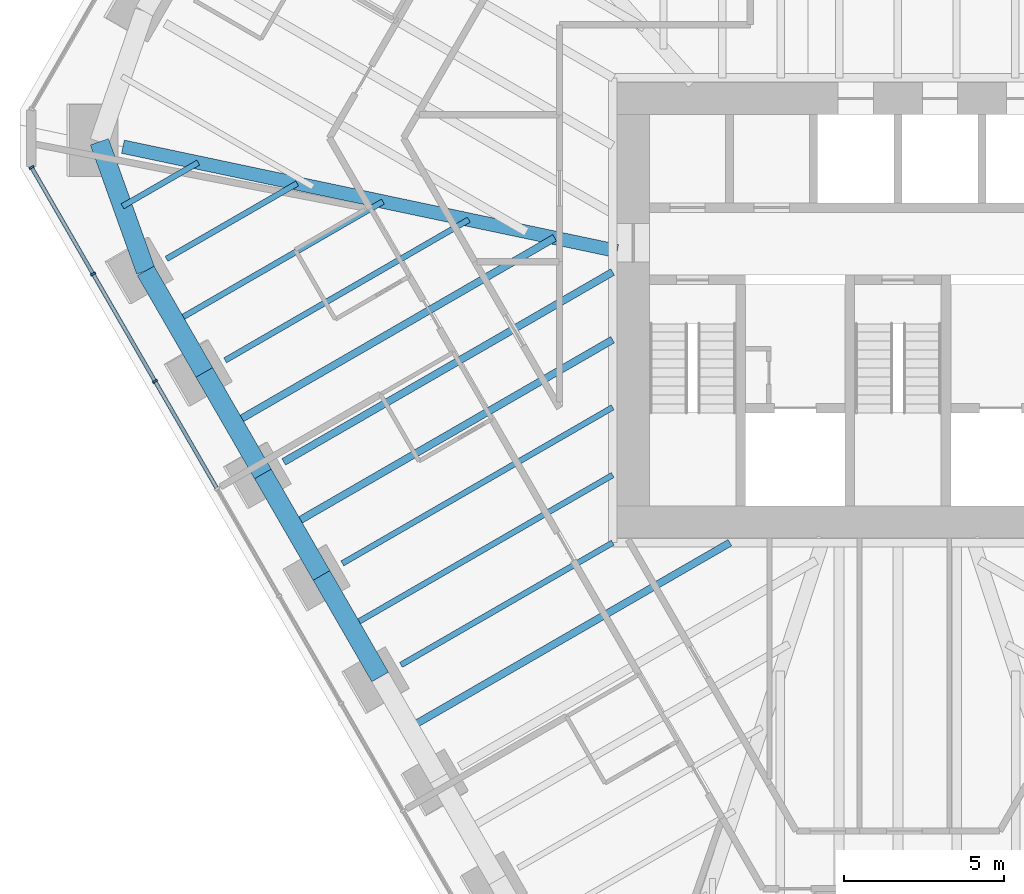
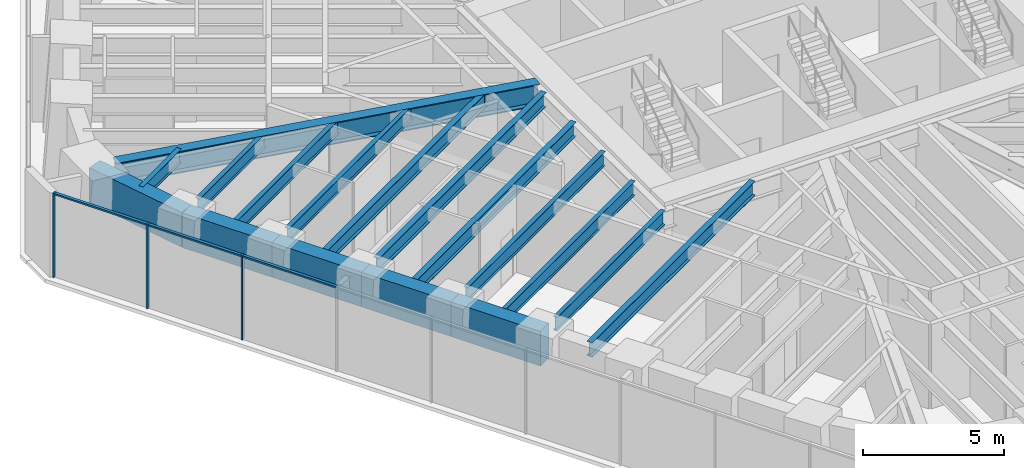
# One storey, part 3 of 17: 17 beams, 6 members, 1 element without a shape of its own.
"""IFC4 building model written with IfcOpenShell, lengths in metres."""

from ifc_helpers import new_model, si_unit, direction, frame, origin, origin_2d, place, context, subcontext, project, spatial, rectangle, i_section, extrude, material, material_profile, profile_set, type_object, element, aggregate, save


model = new_model("IFC4")

# Units and contexts
model_context = context("Model", 3, precision=1e-05, world=origin(), true_north=direction((0.0, 1.0)))
body_context = subcontext(model_context, "Body", "Model", "MODEL_VIEW")
ifc_project = project(units=[si_unit("LENGTHUNIT", "METRE"), si_unit("AREAUNIT", "SQUARE_METRE"), si_unit("VOLUMEUNIT", "CUBIC_METRE"), si_unit("PLANEANGLEUNIT", "RADIAN"), si_unit("MASSUNIT", "GRAM", prefix="KILO")], contexts=[model_context])

# Site, building, storey
site_placement = place(None, origin())
site = spatial("IfcSite", under=ifc_project, at=site_placement, CompositionType="ELEMENT")
building_placement = place(site_placement, origin())
building = spatial("IfcBuilding", under=site, at=building_placement, Name="Sandreach Pilgrim Tower", CompositionType="ELEMENT")
storey_placement = place(building_placement, frame((0.0, 0.0, 232.60009765625)))
storey = spatial("IfcBuildingStorey", under=building, at=storey_placement, Name="L58", CompositionType="ELEMENT", Elevation=232.60009765625)

# Curtain wall, members
ifc_material_1 = material(Name="Aluminium framed curtain wall", Category="aluminium")
curtain_wall_type = type_object("IfcCurtainWallType", Name="Upper hotel tower curtain wall", PredefinedType="NOTDEFINED", material=ifc_material_1)
curtain_wall_placement = place(storey_placement, origin())
curtain_wall = element("IfcCurtainWall", 1, at=curtain_wall_placement, inside=storey, type_object=curtain_wall_type, Name="CW-3 L58 SW", PredefinedType="NOTDEFINED")
ifc_material_2 = material(Name="Aluminium extrusion", Category="aluminium")
ifc_material_profile_1 = material_profile(ifc_material_2, rectangle(XDim=0.06494140625, YDim=0.159912109375, at=origin_2d()), Name="CW-3M 65X160")
ifc_profile_set_1 = profile_set([ifc_material_profile_1], Name="Aluminium extrusion")
member_type_1 = type_object("IfcMemberType", Name="CW-3 mullion", PredefinedType="MULLION", material=ifc_profile_set_1)
member_1_placement = place(storey_placement, frame((-23.15576171875, -2.21337890625, 0.0), z_axis=(0.0, 0.0, 1.0), x_axis=(-0.5, 0.866025403784, 0.0)))
member_1 = element("IfcMember", 2, at=member_1_placement, type_object=member_type_1, Name="CW-3 mullion 8", PredefinedType="MULLION", context=body_context, shape_type="SweptSolid", body=[
    extrude(rectangle(XDim=0.06494140625, YDim=0.159912109375, at=origin_2d()), origin(), (0.0, 0.0, 1.0), 3.639892578125),
])
member_2_placement = place(storey_placement, frame((-25.087890625, 1.13330078125, 0.0), z_axis=(0.0, 0.0, 1.0), x_axis=(-0.5, 0.866025403784, 0.0)))
member_2 = element("IfcMember", 3, at=member_2_placement, type_object=member_type_1, Name="CW-3 mullion 9", PredefinedType="MULLION", context=body_context, shape_type="SweptSolid", body=[
    extrude(rectangle(XDim=0.06494140625, YDim=0.159912109375, at=origin_2d()), origin(), (0.0, 0.0, 1.0), 3.639892578125),
])
member_3_placement = place(storey_placement, frame((-27.00390625, 4.451904296875, 0.0), z_axis=(0.0, 0.0, 1.0), x_axis=(-0.5, 0.866025403784, 0.0)))
member_3 = element("IfcMember", 4, at=member_3_placement, type_object=member_type_1, Name="CW-3 mullion 10", PredefinedType="MULLION", context=body_context, shape_type="SweptSolid", body=[
    extrude(rectangle(XDim=0.06494140625, YDim=0.159912109375, at=origin_2d()), origin(), (0.0, 0.0, 1.0), 3.639892578125),
])
ifc_material_3 = material(Name="Aluminium extrusion", Category="aluminium")
ifc_material_profile_2 = material_profile(ifc_material_3, rectangle(XDim=0.1201171875, YDim=0.070068359375, at=origin_2d()), Name="CW-3T 120X70")
ifc_profile_set_2 = profile_set([ifc_material_profile_2], Name="Aluminium extrusion")
member_type_2 = type_object("IfcMemberType", Name="CW-3 transom", PredefinedType="USERDEFINED", material=ifc_profile_set_2)
member_4_placement = place(storey_placement, frame((-21.23974609375, -5.531982421875, 3.60498046875), z_axis=(-0.499974606132, 0.866040064445, 0.0), x_axis=(-0.866040064445, -0.499974606132, 0.0)))
member_4 = element("IfcMember", 5, at=member_4_placement, type_object=member_type_2, Name="CW-3 head transom 7", ObjectType="TRANSOM", PredefinedType="USERDEFINED", context=body_context, shape_type="SweptSolid", body=[
    extrude(rectangle(XDim=0.1201171875, YDim=0.070068359375, at=origin_2d()), origin(), (0.0, 0.0, 1.0), 3.799560546875),
])
member_5_placement = place(storey_placement, frame((-23.171875, -2.185302734375, 3.60498046875), z_axis=(-0.500022797313, 0.86601224135, 0.0), x_axis=(-0.86601224135, -0.500022797313, 0.0)))
member_5 = element("IfcMember", 6, at=member_5_placement, type_object=member_type_2, Name="CW-3 head transom 8", ObjectType="TRANSOM", PredefinedType="USERDEFINED", context=body_context, shape_type="SweptSolid", body=[
    extrude(rectangle(XDim=0.1201171875, YDim=0.070068359375, at=origin_2d()), origin(), (0.0, 0.0, 1.0), 3.799560546875),
])
member_6_placement = place(storey_placement, frame((-25.104248046875, 1.161376953125, 3.60498046875), z_axis=(-0.499944992379, 0.86605716012, 0.0), x_axis=(-0.86605716012, -0.499944992379, 0.0)))
member_6 = element("IfcMember", 7, at=member_6_placement, type_object=member_type_2, Name="CW-3 head transom 9", ObjectType="TRANSOM", PredefinedType="USERDEFINED", context=body_context, shape_type="SweptSolid", body=[
    extrude(rectangle(XDim=0.1201171875, YDim=0.070068359375, at=origin_2d()), origin(), (0.0, 0.0, 1.0), 3.76708984375),
])
aggregate(curtain_wall, [member_1, member_2, member_3, member_4, member_5, member_6])

# Beams
ifc_material_4 = material(Name="Steel ASTM A992 Grade 50", Category="steel")
ifc_material_profile_3 = material_profile(ifc_material_4, i_section(OverallWidth=0.421630859375, OverallDepth=0.937255859375, WebThickness=0.0224609375, FlangeThickness=0.039794921875, at=origin_2d()), Name="W36X282")
ifc_profile_set_3 = profile_set([ifc_material_profile_3], Name="Steel ASTM A992 Grade 50")
beam_type_1 = type_object("IfcBeamType", Name="Corner girder W36X282", PredefinedType="BEAM", material=ifc_profile_set_3)
beam_1_placement = place(storey_placement, frame((-24.157958984375, 5.1005859375, 3.17138671875), z_axis=(0.978429375126, -0.206581601045, 0.0), x_axis=(0.206581601045, 0.978429375126, 0.0)))
element("IfcBeam", 8, at=beam_1_placement, inside=storey, type_object=beam_type_1, Name="BM L58 CG35", PredefinedType="BEAM", context=body_context, shape_type="SweptSolid", body=[
    extrude(i_section(OverallWidth=0.421630859375, OverallDepth=0.937255859375, WebThickness=0.0224609375, FlangeThickness=0.039794921875, at=origin_2d()), origin(), (0.0, 0.0, 1.0), 15.74755859375),
])
ifc_material_5 = material(Name="Steel ASTM A992 Grade 50", Category="steel")
ifc_material_profile_4 = material_profile(ifc_material_5, i_section(OverallWidth=0.1787109375, OverallDepth=0.60205078125, WebThickness=0.010986328125, FlangeThickness=0.014892578125, at=origin_2d()), Name="W24X62")
ifc_profile_set_4 = profile_set([ifc_material_profile_4], Name="Steel ASTM A992 Grade 50")
beam_type_2 = type_object("IfcBeamType", Name="Floor beam W24X62", PredefinedType="BEAM", material=ifc_profile_set_4)
beam_2_placement = place(storey_placement, frame((-15.4912109375, -11.053466796875, 3.3388671875), z_axis=(0.866030330426, 0.49999146671, 0.0), x_axis=(-0.49999146671, 0.866030330426, 0.0)))
element("IfcBeam", 9, at=beam_2_placement, inside=storey, type_object=beam_type_2, Name="BM L58 F30", PredefinedType="BEAM", context=body_context, shape_type="SweptSolid", body=[
    extrude(i_section(OverallWidth=0.1787109375, OverallDepth=0.60205078125, WebThickness=0.010986328125, FlangeThickness=0.014892578125, at=origin_2d()), origin(), (0.0, 0.0, 1.0), 7.620361328125),
])
beam_3_placement = place(storey_placement, frame((-17.318115234375, -7.888916015625, 3.3388671875), z_axis=(0.866027610761, 0.499996177385, 0.0), x_axis=(-0.499996177385, 0.866027610761, 0.0)))
element("IfcBeam", 10, at=beam_3_placement, inside=storey, type_object=beam_type_2, Name="BM L58 F31", PredefinedType="BEAM", context=body_context, shape_type="SweptSolid", body=[
    extrude(i_section(OverallWidth=0.1787109375, OverallDepth=0.60205078125, WebThickness=0.010986328125, FlangeThickness=0.014892578125, at=origin_2d()), origin(), (0.0, 0.0, 1.0), 9.72802734375),
])
beam_4_placement = place(storey_placement, frame((-20.971923828125, -1.56005859375, 3.3388671875), z_axis=(0.866026096658, 0.499998799906, 0.0), x_axis=(-0.499998799906, 0.866026096658, 0.0)))
element("IfcBeam", 11, at=beam_4_placement, inside=storey, type_object=beam_type_2, Name="BM L58 F33", PredefinedType="BEAM", context=body_context, shape_type="SweptSolid", body=[
    extrude(i_section(OverallWidth=0.1787109375, OverallDepth=0.60205078125, WebThickness=0.010986328125, FlangeThickness=0.014892578125, at=origin_2d()), origin(), (0.0, 0.0, 1.0), 8.76904296875),
])
beam_5_placement = place(storey_placement, frame((-22.799072265625, 1.604248046875, 3.3388671875), z_axis=(0.866016039709, 0.500016218704, 0.0), x_axis=(-0.500016218704, 0.866016039709, 0.0)))
element("IfcBeam", 12, at=beam_5_placement, inside=storey, type_object=beam_type_2, Name="BM L58 F34", PredefinedType="BEAM", context=body_context, shape_type="SweptSolid", body=[
    extrude(i_section(OverallWidth=0.1787109375, OverallDepth=0.60205078125, WebThickness=0.010986328125, FlangeThickness=0.014892578125, at=origin_2d()), origin(), (0.0, 0.0, 1.0), 4.699951171875),
])
beam_6_placement = place(storey_placement, frame((-17.05419921875, -9.84619140625, 3.3388671875), z_axis=(0.866026384819, 0.499998300794, 0.0), x_axis=(-0.499998300794, 0.866026384819, 0.0)))
element("IfcBeam", 13, at=beam_6_placement, inside=storey, type_object=beam_type_2, Name="BM L58 FM30", PredefinedType="BEAM", context=body_context, shape_type="SweptSolid", body=[
    extrude(i_section(OverallWidth=0.1787109375, OverallDepth=0.60205078125, WebThickness=0.010986328125, FlangeThickness=0.014892578125, at=origin_2d()), origin(), (0.0, 0.0, 1.0), 9.42333984375),
])
beam_7_placement = place(storey_placement, frame((-22.53515625, -0.35302734375, 3.3388671875), z_axis=(0.866020455281, 0.500008570961, 0.0), x_axis=(-0.500008570961, 0.866020455281, 0.0)))
element("IfcBeam", 14, at=beam_7_placement, inside=storey, type_object=beam_type_2, Name="BM L58 FM33", PredefinedType="BEAM", context=body_context, shape_type="SweptSolid", body=[
    extrude(i_section(OverallWidth=0.1787109375, OverallDepth=0.60205078125, WebThickness=0.010986328125, FlangeThickness=0.014892578125, at=origin_2d()), origin(), (0.0, 0.0, 1.0), 7.484619140625),
])
beam_8_placement = place(storey_placement, frame((-24.170166015625, 3.242431640625, 3.3388671875), z_axis=(0.866051307416, 0.49995513091, 0.0), x_axis=(-0.49995513091, 0.866051307416, 0.0)))
element("IfcBeam", 15, at=beam_8_placement, inside=storey, type_object=beam_type_2, Name="BM L58 FM34", PredefinedType="BEAM", context=body_context, shape_type="SweptSolid", body=[
    extrude(i_section(OverallWidth=0.1787109375, OverallDepth=0.60205078125, WebThickness=0.010986328125, FlangeThickness=0.014892578125, at=origin_2d()), origin(), (0.0, 0.0, 1.0), 2.724853515625),
])
ifc_material_6 = material(Name="Steel ASTM A992 Grade 50", Category="steel")
ifc_material_profile_5 = material_profile(ifc_material_6, i_section(OverallWidth=0.23046875, OverallDepth=0.6171875, WebThickness=0.01318359375, FlangeThickness=0.022216796875, at=origin_2d()), Name="W24X94")
ifc_profile_set_5 = profile_set([ifc_material_profile_5], Name="Steel ASTM A992 Grade 50")
beam_type_3 = type_object("IfcBeamType", Name="Floor beam W24X94", PredefinedType="BEAM", material=ifc_profile_set_5)
beam_9_placement = place(storey_placement, frame((-19.14501953125, -4.724609375, 3.331298828125), z_axis=(0.86602107386, 0.500007499575, 0.0), x_axis=(-0.500007499575, 0.86602107386, 0.0)))
element("IfcBeam", 16, at=beam_9_placement, inside=storey, type_object=beam_type_3, Name="BM L58 F32", PredefinedType="BEAM", context=body_context, shape_type="SweptSolid", body=[
    extrude(i_section(OverallWidth=0.23046875, OverallDepth=0.6171875, WebThickness=0.01318359375, FlangeThickness=0.022216796875, at=origin_2d()), origin(), (0.0, 0.0, 1.0), 11.837646484375),
])
beam_10_placement = place(storey_placement, frame((-15.22705078125, -13.010498046875, 3.331298828125), z_axis=(0.866028027487, 0.499995455586, 0.0), x_axis=(-0.499995455586, 0.866028027487, 0.0)))
element("IfcBeam", 17, at=beam_10_placement, inside=storey, type_object=beam_type_3, Name="BM L58 FM29", PredefinedType="BEAM", context=body_context, shape_type="SweptSolid", body=[
    extrude(i_section(OverallWidth=0.23046875, OverallDepth=0.6171875, WebThickness=0.01318359375, FlangeThickness=0.022216796875, at=origin_2d()), origin(), (0.0, 0.0, 1.0), 11.5341796875),
])
beam_11_placement = place(storey_placement, frame((-18.881103515625, -6.681884765625, 3.331298828125), z_axis=(0.866019899421, 0.500009533716, 0.0), x_axis=(-0.500009533716, 0.866019899421, 0.0)))
element("IfcBeam", 18, at=beam_11_placement, inside=storey, type_object=beam_type_3, Name="BM L58 FM31", PredefinedType="BEAM", context=body_context, shape_type="SweptSolid", body=[
    extrude(i_section(OverallWidth=0.23046875, OverallDepth=0.6171875, WebThickness=0.01318359375, FlangeThickness=0.022216796875, at=origin_2d()), origin(), (0.0, 0.0, 1.0), 11.532958984375),
])
beam_12_placement = place(storey_placement, frame((-20.7080078125, -3.517333984375, 3.331298828125), z_axis=(0.86602653318, 0.499998043825, 0.0), x_axis=(-0.499998043825, 0.86602653318, 0.0)))
element("IfcBeam", 19, at=beam_12_placement, inside=storey, type_object=beam_type_3, Name="BM L58 FM32", PredefinedType="BEAM", context=body_context, shape_type="SweptSolid", body=[
    extrude(i_section(OverallWidth=0.23046875, OverallDepth=0.6171875, WebThickness=0.01318359375, FlangeThickness=0.022216796875, at=origin_2d()), origin(), (0.0, 0.0, 1.0), 11.5537109375),
])
ifc_material_7 = material(Name="Concrete 10000 psi", Category="concrete")
ifc_material_profile_6 = material_profile(ifc_material_7, rectangle(XDim=0.60009765625, YDim=1.5, at=origin_2d()), Name="RC600X1500")
ifc_profile_set_6 = profile_set([ifc_material_profile_6], Name="Concrete 10000 psi")
beam_type_4 = type_object("IfcBeamType", Name="Spandrel beam RC600X1500", PredefinedType="SPANDREL", material=ifc_profile_set_6)
for number, where, z_axis, x_axis, name in (
    (20, (-16.140625, -11.428466796875, 2.889892578125), (-0.499969222351, 0.866043172539, 0.0), (-0.866043172539, -0.499969222351, 0.0), "BM L58 SP30"),
    (21, (-17.967529296875, -8.263916015625, 2.889892578125), (-0.500048264891, 0.865997536244, 0.0), (-0.865997536244, -0.500048264891, 0.0), "BM L58 SP31"),
    (22, (-19.794677734375, -5.099609375, 2.889892578125), (-0.499969222351, 0.866043172539, 0.0), (-0.866043172539, -0.499969222351, 0.0), "BM L58 SP32"),
):
    element("IfcBeam", number, at=place(storey_placement, frame(where, z_axis=z_axis, x_axis=x_axis)), inside=storey, type_object=beam_type_4, Name=name, PredefinedType="SPANDREL", context=body_context, shape_type="SweptSolid", body=[
        extrude(rectangle(XDim=0.60009765625, YDim=1.5, at=origin_2d()), origin(), (0.0, 0.0, 1.0), 3.654052734375),
    ])
beam_13_placement = place(storey_placement, frame((-21.62158203125, -1.93505859375, 2.889892578125), z_axis=(-0.499998153873, 0.866026469644, 0.0), x_axis=(-0.866026469644, -0.499998153873, 0.0)))
element("IfcBeam", 23, at=beam_13_placement, inside=storey, type_object=beam_type_4, Name="BM L58 SP33", PredefinedType="SPANDREL", context=body_context, shape_type="SweptSolid", body=[
    extrude(rectangle(XDim=0.60009765625, YDim=1.5, at=origin_2d()), origin(), (0.0, 0.0, 1.0), 3.65380859375),
])
beam_14_placement = place(storey_placement, frame((-23.448486328125, 1.229248046875, 2.889892578125), z_axis=(-0.337417393802, 0.941355141464, 0.0), x_axis=(-0.941355141464, -0.337417393802, 0.0)))
element("IfcBeam", 24, at=beam_14_placement, inside=storey, type_object=beam_type_4, Name="BM L58 SP34", PredefinedType="SPANDREL", context=body_context, shape_type="SweptSolid", body=[
    extrude(rectangle(XDim=0.60009765625, YDim=1.5, at=origin_2d()), origin(), (0.0, 0.0, 1.0), 4.27685546875),
])

save(model, "model.ifc")
